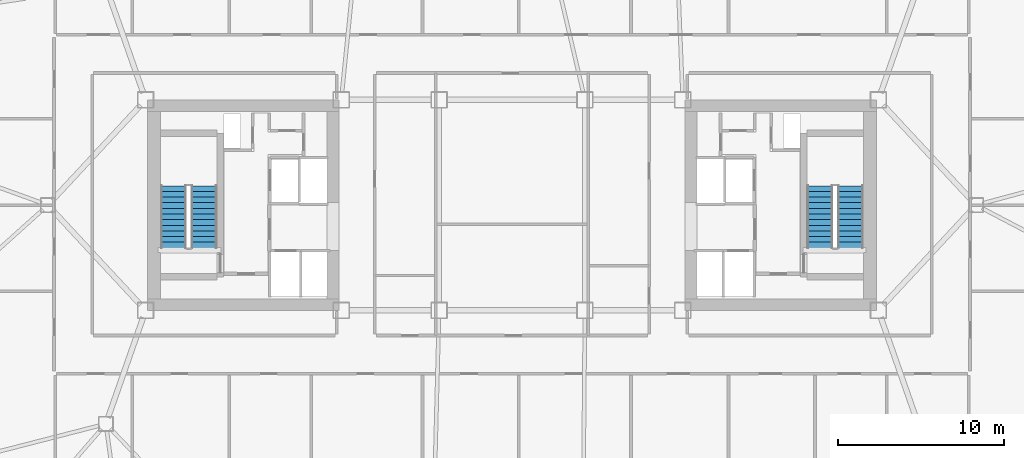
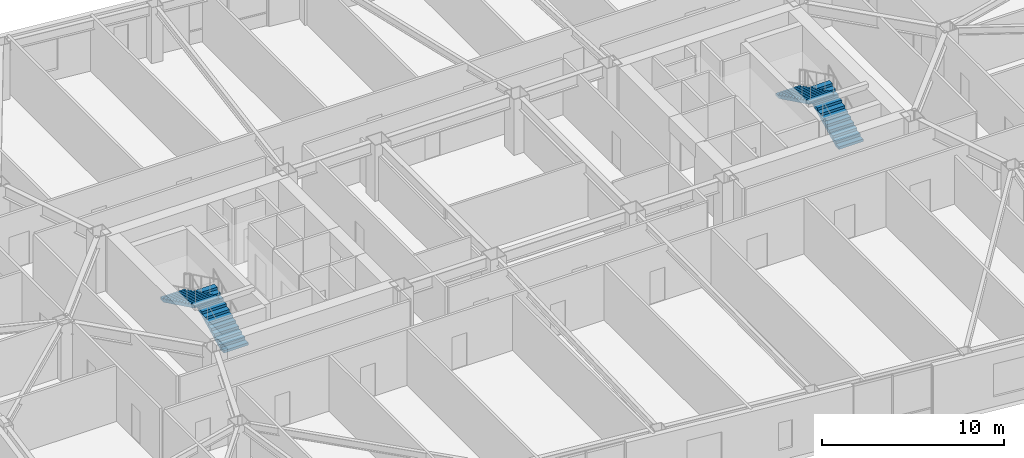
# One storey, part 16 of 21: 4 stair flights, 2 elements without a shape of their own.
"""IFC4 building model written with IfcOpenShell, lengths in metres."""

from ifc_helpers import new_model, si_unit, direction, frame, origin, place, context, subcontext, project, spatial, polyline, outline, extrude, material, type_object, element, aggregate, save


model = new_model("IFC4")

# Units and contexts
model_context = context("Model", 3, precision=1e-05, world=origin(), true_north=direction((0.0, 1.0)))
body_context = subcontext(model_context, "Body", "Model", "MODEL_VIEW")
ifc_project = project(units=[si_unit("LENGTHUNIT", "METRE"), si_unit("AREAUNIT", "SQUARE_METRE"), si_unit("VOLUMEUNIT", "CUBIC_METRE"), si_unit("PLANEANGLEUNIT", "RADIAN"), si_unit("MASSUNIT", "GRAM", prefix="KILO")], contexts=[model_context])

# Site, building, storey
site_placement = place(None, origin())
site = spatial("IfcSite", under=ifc_project, at=site_placement, CompositionType="ELEMENT")
building_placement = place(site_placement, origin())
building = spatial("IfcBuilding", under=site, at=building_placement, Name="Tavrogorsk Clinical Tower", CompositionType="ELEMENT")
storey_placement = place(building_placement, frame((0.0, 0.0, 133.39990234375)))
storey = spatial("IfcBuildingStorey", under=building, at=storey_placement, Name="L30", CompositionType="ELEMENT", Elevation=133.39990234375)

# Stair, stair flights
ifc_material_1 = material(Name="Concrete B60", Category="concrete")
stair_type = type_object("IfcStairType", Name="CoreStairAssembly", PredefinedType="HALF_TURN_STAIR", material=ifc_material_1)
stair_1_placement = place(storey_placement, origin())
stair_1 = element("IfcStair", 1, at=stair_1_placement, inside=storey, type_object=stair_type, Name="L30 ST-W", PredefinedType="HALF_TURN_STAIR")
ifc_material_2 = material(Name="Concrete B60", Category="concrete")
stair_flight_type = type_object("IfcStairFlightType", Name="CoreStairFlight", PredefinedType="STRAIGHT", material=ifc_material_2)
stair_flight_1_placement = place(storey_placement, frame((-18.574951171875, -2.574951171875, 0.0), z_axis=(0.0, 0.0, 1.0), x_axis=(0.0, 1.0, 0.0)))
stair_flight_1 = element("IfcStairFlight", 2, at=stair_flight_1_placement, type_object=stair_flight_type, Name="ST-W flight 1", NumberOfRisers=12, NumberOfTreads=11, PredefinedType="STRAIGHT", RiserHeight=0.166666667, TreadLength=0.34, context=body_context, shape_type="SweptSolid", body=[
    extrude(outline(polyline([(0.0, 0.0), (0.0, 0.166748046875), (0.340087890625, 0.166748046875), (0.340087890625, 0.333251953125), (0.679931640625, 0.333251953125), (0.679931640625, 0.5), (1.02001953125, 0.5), (1.02001953125, 0.666748046875), (1.360107421875, 0.666748046875), (1.360107421875, 0.833251953125), (1.699951171875, 0.833251953125), (1.699951171875, 1.0), (2.0400390625, 1.0), (2.0400390625, 1.166748046875), (2.3798828125, 1.166748046875), (2.3798828125, 1.333251953125), (2.719970703125, 1.333251953125), (2.719970703125, 1.5), (3.06005859375, 1.5), (3.06005859375, 1.666748046875), (3.39990234375, 1.666748046875), (3.39990234375, 1.833251953125), (3.739990234375, 1.833251953125), (3.739990234375, 2.0), (3.739990234375, 1.66650390625), (0.340576171875, 0.0), (0.0, 0.0)])), frame((0.0, 0.77490234375, 0.0), z_axis=(0.0, -1.0, 0.0), x_axis=(1.0, 0.0, 0.0)), (0.0, 0.0, 1.0), 1.550048828125),
])
stair_flight_2_placement = place(storey_placement, frame((-20.425048828125, 1.1650390625, 2.0), z_axis=(0.0, 0.0, 1.0), x_axis=(0.0, -1.0, 0.0)))
stair_flight_2 = element("IfcStairFlight", 3, at=stair_flight_2_placement, type_object=stair_flight_type, Name="ST-W flight 2", NumberOfRisers=12, NumberOfTreads=11, PredefinedType="STRAIGHT", RiserHeight=0.166666667, TreadLength=0.34, context=body_context, shape_type="SweptSolid", body=[
    extrude(outline(polyline([(0.0, 0.0), (0.0, 0.166748046875), (0.340087890625, 0.166748046875), (0.340087890625, 0.333251953125), (0.679931640625, 0.333251953125), (0.679931640625, 0.5), (1.02001953125, 0.5), (1.02001953125, 0.666748046875), (1.360107421875, 0.666748046875), (1.360107421875, 0.833251953125), (1.699951171875, 0.833251953125), (1.699951171875, 1.0), (2.0400390625, 1.0), (2.0400390625, 1.166748046875), (2.3798828125, 1.166748046875), (2.3798828125, 1.333251953125), (2.719970703125, 1.333251953125), (2.719970703125, 1.5), (3.06005859375, 1.5), (3.06005859375, 1.666748046875), (3.39990234375, 1.666748046875), (3.39990234375, 1.833251953125), (3.739990234375, 1.833251953125), (3.739990234375, 2.0), (3.739990234375, 1.66650390625), (0.340576171875, 0.0), (0.0, 0.0)])), frame((0.0, 0.77490234375, 0.0), z_axis=(0.0, -1.0, 0.0), x_axis=(1.0, 0.0, 0.0)), (0.0, 0.0, 1.0), 1.550048828125),
])
aggregate(stair_1, [stair_flight_1, stair_flight_2])

stair_2_placement = place(storey_placement, origin())
stair_2 = element("IfcStair", 4, at=stair_2_placement, inside=storey, type_object=stair_type, Name="L30 ST-E", PredefinedType="HALF_TURN_STAIR")
stair_flight_3_placement = place(storey_placement, frame((20.425048828125, -2.574951171875, 0.0), z_axis=(0.0, 0.0, 1.0), x_axis=(0.0, 1.0, 0.0)))
stair_flight_3 = element("IfcStairFlight", 5, at=stair_flight_3_placement, type_object=stair_flight_type, Name="ST-E flight 1", NumberOfRisers=12, NumberOfTreads=11, PredefinedType="STRAIGHT", RiserHeight=0.166666667, TreadLength=0.34, context=body_context, shape_type="SweptSolid", body=[
    extrude(outline(polyline([(0.0, 0.0), (0.0, 0.166748046875), (0.340087890625, 0.166748046875), (0.340087890625, 0.333251953125), (0.679931640625, 0.333251953125), (0.679931640625, 0.5), (1.02001953125, 0.5), (1.02001953125, 0.666748046875), (1.360107421875, 0.666748046875), (1.360107421875, 0.833251953125), (1.699951171875, 0.833251953125), (1.699951171875, 1.0), (2.0400390625, 1.0), (2.0400390625, 1.166748046875), (2.3798828125, 1.166748046875), (2.3798828125, 1.333251953125), (2.719970703125, 1.333251953125), (2.719970703125, 1.5), (3.06005859375, 1.5), (3.06005859375, 1.666748046875), (3.39990234375, 1.666748046875), (3.39990234375, 1.833251953125), (3.739990234375, 1.833251953125), (3.739990234375, 2.0), (3.739990234375, 1.66650390625), (0.340576171875, 0.0), (0.0, 0.0)])), frame((0.0, 0.77490234375, 0.0), z_axis=(0.0, -1.0, 0.0), x_axis=(1.0, 0.0, 0.0)), (0.0, 0.0, 1.0), 1.550048828125),
])
stair_flight_4_placement = place(storey_placement, frame((18.574951171875, 1.1650390625, 2.0), z_axis=(0.0, 0.0, 1.0), x_axis=(0.0, -1.0, 0.0)))
stair_flight_4 = element("IfcStairFlight", 6, at=stair_flight_4_placement, type_object=stair_flight_type, Name="ST-E flight 2", NumberOfRisers=12, NumberOfTreads=11, PredefinedType="STRAIGHT", RiserHeight=0.166666667, TreadLength=0.34, context=body_context, shape_type="SweptSolid", body=[
    extrude(outline(polyline([(0.0, 0.0), (0.0, 0.166748046875), (0.340087890625, 0.166748046875), (0.340087890625, 0.333251953125), (0.679931640625, 0.333251953125), (0.679931640625, 0.5), (1.02001953125, 0.5), (1.02001953125, 0.666748046875), (1.360107421875, 0.666748046875), (1.360107421875, 0.833251953125), (1.699951171875, 0.833251953125), (1.699951171875, 1.0), (2.0400390625, 1.0), (2.0400390625, 1.166748046875), (2.3798828125, 1.166748046875), (2.3798828125, 1.333251953125), (2.719970703125, 1.333251953125), (2.719970703125, 1.5), (3.06005859375, 1.5), (3.06005859375, 1.666748046875), (3.39990234375, 1.666748046875), (3.39990234375, 1.833251953125), (3.739990234375, 1.833251953125), (3.739990234375, 2.0), (3.739990234375, 1.66650390625), (0.340576171875, 0.0), (0.0, 0.0)])), frame((0.0, 0.77490234375, 0.0), z_axis=(0.0, -1.0, 0.0), x_axis=(1.0, 0.0, 0.0)), (0.0, 0.0, 1.0), 1.550048828125),
])
aggregate(stair_2, [stair_flight_3, stair_flight_4])

save(model, "model.ifc")
